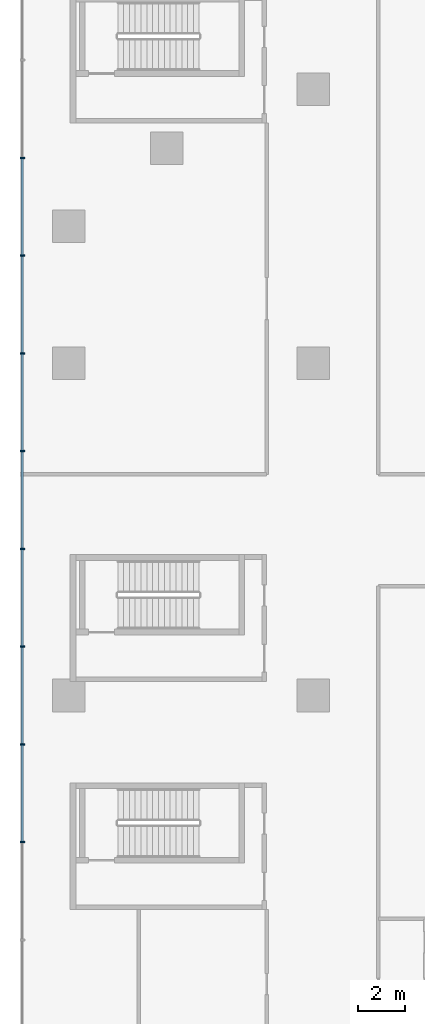
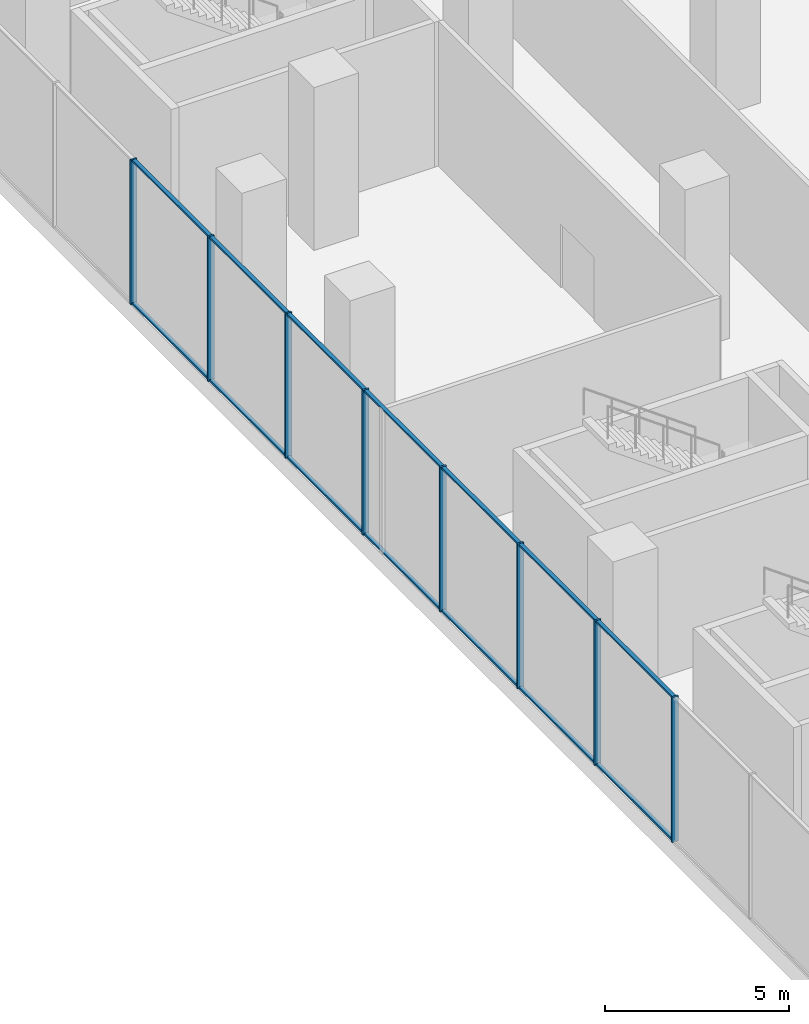
# One storey, part 5 of 22: 22 members, 1 element without a shape of its own.
"""IFC4 building model written with IfcOpenShell, lengths in metres."""

from ifc_helpers import new_model, si_unit, direction, frame, origin, origin_2d, place, context, subcontext, project, spatial, rectangle, extrude, source, transform, mapped, material, layer, layer_set, material_profile, profile_set, type_object, element, aggregate, save


model = new_model("IFC4")

# Units and contexts
model_context = context("Model", 3, precision=1e-05, world=origin(), true_north=direction((0.0, 1.0)))
body_context = subcontext(model_context, "Body", "Model", "MODEL_VIEW")
ifc_project = project(units=[si_unit("LENGTHUNIT", "METRE"), si_unit("AREAUNIT", "SQUARE_METRE"), si_unit("VOLUMEUNIT", "CUBIC_METRE"), si_unit("PLANEANGLEUNIT", "RADIAN"), si_unit("MASSUNIT", "GRAM", prefix="KILO")], contexts=[model_context])

# Site, building, storey
site_placement = place(None, origin())
site = spatial("IfcSite", under=ifc_project, at=site_placement, CompositionType="ELEMENT")
building_placement = place(site_placement, origin())
building = spatial("IfcBuilding", under=site, at=building_placement, Name="Aurelian Terraces", CompositionType="ELEMENT")
storey_placement = place(building_placement, frame((0.0, 0.0, 7.5)))
storey = spatial("IfcBuildingStorey", under=building, at=storey_placement, Name="L01", CompositionType="ELEMENT", Elevation=7.5)

# Curtain wall, members
ifc_material_1 = material(Name="Anodised aluminium and clear glazing", Category="aluminium")
ifc_layer = layer(ifc_material_1, 0.2)
ifc_layer_set = layer_set([ifc_layer], Name="Podium shopfront curtain wall")
curtain_wall_type = type_object("IfcCurtainWallType", Name="Podium shopfront curtain wall", PredefinedType="NOTDEFINED", material=ifc_layer_set)
curtain_wall_placement = place(storey_placement, origin())
curtain_wall = element("IfcCurtainWall", 1, at=curtain_wall_placement, inside=storey, type_object=curtain_wall_type, Name="Podium shopfront L01 F06.1", PredefinedType="NOTDEFINED")
ifc_material_2 = material(Name="Anodised aluminium", Category="aluminium")
ifc_material_profile_1 = material_profile(ifc_material_2, rectangle(XDim=0.2, YDim=0.06, at=origin_2d()))
ifc_profile_set_1 = profile_set([ifc_material_profile_1], Name="Anodised aluminium")
member_type_1 = type_object("IfcMemberType", Name="Podium shopfront mullion", PredefinedType="MULLION", material=ifc_profile_set_1)
shared_shape_1 = source(origin(), body_context, "Body", "SweptSolid", [
    extrude(rectangle(XDim=0.2, YDim=0.06, at=origin_2d()), origin(), (0.0, 0.0, 1.0), 4.8),
])
member_1_placement = place(storey_placement, frame((-2.0, 60.9, 0.0), z_axis=(0.0, 0.0, 1.0), x_axis=(1.0, 0.0, 0.0)))
member_1 = element("IfcMember", 2, at=member_1_placement, type_object=member_type_1, Name="CW1 mullion 7", PredefinedType="MULLION", context=body_context, shape_type="MappedRepresentation", body=[
    mapped(shared_shape_1, transform((0.0, 0.0, 0.0), scale=1.0)),
])
member_2_placement = place(storey_placement, frame((-2.0, 56.7, 0.0), z_axis=(0.0, 0.0, 1.0), x_axis=(1.0, 0.0, 0.0)))
member_2 = element("IfcMember", 3, at=member_2_placement, type_object=member_type_1, Name="CW1 mullion 8", PredefinedType="MULLION", context=body_context, shape_type="MappedRepresentation", body=[
    mapped(shared_shape_1, transform((0.0, 0.0, 0.0), scale=1.0)),
])
member_3_placement = place(storey_placement, frame((-2.0, 52.5, 0.0), z_axis=(0.0, 0.0, 1.0), x_axis=(1.0, 0.0, 0.0)))
member_3 = element("IfcMember", 4, at=member_3_placement, type_object=member_type_1, Name="CW1 mullion 9", PredefinedType="MULLION", context=body_context, shape_type="MappedRepresentation", body=[
    mapped(shared_shape_1, transform((0.0, 0.0, 0.0), scale=1.0)),
])
member_4_placement = place(storey_placement, frame((-2.0, 48.3, 0.0), z_axis=(0.0, 0.0, 1.0), x_axis=(1.0, 0.0, 0.0)))
member_4 = element("IfcMember", 5, at=member_4_placement, type_object=member_type_1, Name="CW1 mullion 10", PredefinedType="MULLION", context=body_context, shape_type="MappedRepresentation", body=[
    mapped(shared_shape_1, transform((0.0, 0.0, 0.0), scale=1.0)),
])
member_5_placement = place(storey_placement, frame((-2.0, 44.1, 0.0), z_axis=(0.0, 0.0, 1.0), x_axis=(1.0, 0.0, 0.0)))
member_5 = element("IfcMember", 6, at=member_5_placement, type_object=member_type_1, Name="CW1 mullion 11", PredefinedType="MULLION", context=body_context, shape_type="MappedRepresentation", body=[
    mapped(shared_shape_1, transform((0.0, 0.0, 0.0), scale=1.0)),
])
member_6_placement = place(storey_placement, frame((-2.0, 39.9, 0.0), z_axis=(0.0, 0.0, 1.0), x_axis=(1.0, 0.0, 0.0)))
member_6 = element("IfcMember", 7, at=member_6_placement, type_object=member_type_1, Name="CW1 mullion 12", PredefinedType="MULLION", context=body_context, shape_type="MappedRepresentation", body=[
    mapped(shared_shape_1, transform((0.0, 0.0, 0.0), scale=1.0)),
])
member_7_placement = place(storey_placement, frame((-2.0, 35.7, 0.0), z_axis=(0.0, 0.0, 1.0), x_axis=(1.0, 0.0, 0.0)))
member_7 = element("IfcMember", 8, at=member_7_placement, type_object=member_type_1, Name="CW1 mullion 13", PredefinedType="MULLION", context=body_context, shape_type="MappedRepresentation", body=[
    mapped(shared_shape_1, transform((0.0, 0.0, 0.0), scale=1.0)),
])
member_8_placement = place(storey_placement, frame((-2.0, 31.5, 0.0), z_axis=(0.0, 0.0, 1.0), x_axis=(1.0, 0.0, 0.0)))
member_8 = element("IfcMember", 9, at=member_8_placement, type_object=member_type_1, Name="CW1 mullion 14", PredefinedType="MULLION", context=body_context, shape_type="MappedRepresentation", body=[
    mapped(shared_shape_1, transform((0.0, 0.0, 0.0), scale=1.0)),
])
ifc_material_profile_2 = material_profile(ifc_material_2, rectangle(XDim=0.12, YDim=0.06, at=origin_2d()))
ifc_profile_set_2 = profile_set([ifc_material_profile_2], Name="Anodised aluminium")
member_type_2 = type_object("IfcMemberType", Name="Podium shopfront transom", PredefinedType="USERDEFINED", material=ifc_profile_set_2)
shared_shape_2 = source(origin(), body_context, "Body", "SweptSolid", [
    extrude(rectangle(XDim=0.12, YDim=0.06, at=origin_2d()), origin(), (0.0, 0.0, 1.0), 4.14),
])
member_9_placement = place(storey_placement, frame((-2.0, 60.87, 0.03), z_axis=(0.0, -1.0, 0.0), x_axis=(1.0, 0.0, 0.0)))
member_9 = element("IfcMember", 10, at=member_9_placement, type_object=member_type_2, Name="CW1 transom 7.1", ObjectType="TRANSOM", PredefinedType="USERDEFINED", context=body_context, shape_type="MappedRepresentation", body=[
    mapped(shared_shape_2, transform((0.0, 0.0, 0.0), scale=1.0)),
])
member_10_placement = place(storey_placement, frame((-2.0, 60.87, 4.77), z_axis=(0.0, -1.0, 0.0), x_axis=(1.0, 0.0, 0.0)))
member_10 = element("IfcMember", 11, at=member_10_placement, type_object=member_type_2, Name="CW1 transom 7.2", ObjectType="TRANSOM", PredefinedType="USERDEFINED", context=body_context, shape_type="MappedRepresentation", body=[
    mapped(shared_shape_2, transform((0.0, 0.0, 0.0), scale=1.0)),
])
member_11_placement = place(storey_placement, frame((-2.0, 56.67, 0.03), z_axis=(0.0, -1.0, 0.0), x_axis=(1.0, 0.0, 0.0)))
member_11 = element("IfcMember", 12, at=member_11_placement, type_object=member_type_2, Name="CW1 transom 8.1", ObjectType="TRANSOM", PredefinedType="USERDEFINED", context=body_context, shape_type="MappedRepresentation", body=[
    mapped(shared_shape_2, transform((0.0, 0.0, 0.0), scale=1.0)),
])
member_12_placement = place(storey_placement, frame((-2.0, 56.67, 4.77), z_axis=(0.0, -1.0, 0.0), x_axis=(1.0, 0.0, 0.0)))
member_12 = element("IfcMember", 13, at=member_12_placement, type_object=member_type_2, Name="CW1 transom 8.2", ObjectType="TRANSOM", PredefinedType="USERDEFINED", context=body_context, shape_type="MappedRepresentation", body=[
    mapped(shared_shape_2, transform((0.0, 0.0, 0.0), scale=1.0)),
])
member_13_placement = place(storey_placement, frame((-2.0, 52.47, 0.03), z_axis=(0.0, -1.0, 0.0), x_axis=(1.0, 0.0, 0.0)))
member_13 = element("IfcMember", 14, at=member_13_placement, type_object=member_type_2, Name="CW1 transom 9.1", ObjectType="TRANSOM", PredefinedType="USERDEFINED", context=body_context, shape_type="MappedRepresentation", body=[
    mapped(shared_shape_2, transform((0.0, 0.0, 0.0), scale=1.0)),
])
member_14_placement = place(storey_placement, frame((-2.0, 52.47, 4.77), z_axis=(0.0, -1.0, 0.0), x_axis=(1.0, 0.0, 0.0)))
member_14 = element("IfcMember", 15, at=member_14_placement, type_object=member_type_2, Name="CW1 transom 9.2", ObjectType="TRANSOM", PredefinedType="USERDEFINED", context=body_context, shape_type="MappedRepresentation", body=[
    mapped(shared_shape_2, transform((0.0, 0.0, 0.0), scale=1.0)),
])
member_15_placement = place(storey_placement, frame((-2.0, 48.27, 0.03), z_axis=(0.0, -1.0, 0.0), x_axis=(1.0, 0.0, 0.0)))
member_15 = element("IfcMember", 16, at=member_15_placement, type_object=member_type_2, Name="CW1 transom 10.1", ObjectType="TRANSOM", PredefinedType="USERDEFINED", context=body_context, shape_type="MappedRepresentation", body=[
    mapped(shared_shape_2, transform((0.0, 0.0, 0.0), scale=1.0)),
])
member_16_placement = place(storey_placement, frame((-2.0, 48.27, 4.77), z_axis=(0.0, -1.0, 0.0), x_axis=(1.0, 0.0, 0.0)))
member_16 = element("IfcMember", 17, at=member_16_placement, type_object=member_type_2, Name="CW1 transom 10.2", ObjectType="TRANSOM", PredefinedType="USERDEFINED", context=body_context, shape_type="MappedRepresentation", body=[
    mapped(shared_shape_2, transform((0.0, 0.0, 0.0), scale=1.0)),
])
member_17_placement = place(storey_placement, frame((-2.0, 44.07, 0.03), z_axis=(0.0, -1.0, 0.0), x_axis=(1.0, 0.0, 0.0)))
member_17 = element("IfcMember", 18, at=member_17_placement, type_object=member_type_2, Name="CW1 transom 11.1", ObjectType="TRANSOM", PredefinedType="USERDEFINED", context=body_context, shape_type="MappedRepresentation", body=[
    mapped(shared_shape_2, transform((0.0, 0.0, 0.0), scale=1.0)),
])
member_18_placement = place(storey_placement, frame((-2.0, 44.07, 4.77), z_axis=(0.0, -1.0, 0.0), x_axis=(1.0, 0.0, 0.0)))
member_18 = element("IfcMember", 19, at=member_18_placement, type_object=member_type_2, Name="CW1 transom 11.2", ObjectType="TRANSOM", PredefinedType="USERDEFINED", context=body_context, shape_type="MappedRepresentation", body=[
    mapped(shared_shape_2, transform((0.0, 0.0, 0.0), scale=1.0)),
])
member_19_placement = place(storey_placement, frame((-2.0, 39.87, 0.03), z_axis=(0.0, -1.0, 0.0), x_axis=(1.0, 0.0, 0.0)))
member_19 = element("IfcMember", 20, at=member_19_placement, type_object=member_type_2, Name="CW1 transom 12.1", ObjectType="TRANSOM", PredefinedType="USERDEFINED", context=body_context, shape_type="MappedRepresentation", body=[
    mapped(shared_shape_2, transform((0.0, 0.0, 0.0), scale=1.0)),
])
member_20_placement = place(storey_placement, frame((-2.0, 39.87, 4.77), z_axis=(0.0, -1.0, 0.0), x_axis=(1.0, 0.0, 0.0)))
member_20 = element("IfcMember", 21, at=member_20_placement, type_object=member_type_2, Name="CW1 transom 12.2", ObjectType="TRANSOM", PredefinedType="USERDEFINED", context=body_context, shape_type="MappedRepresentation", body=[
    mapped(shared_shape_2, transform((0.0, 0.0, 0.0), scale=1.0)),
])
member_21_placement = place(storey_placement, frame((-2.0, 35.67, 0.03), z_axis=(0.0, -1.0, 0.0), x_axis=(1.0, 0.0, 0.0)))
member_21 = element("IfcMember", 22, at=member_21_placement, type_object=member_type_2, Name="CW1 transom 13.1", ObjectType="TRANSOM", PredefinedType="USERDEFINED", context=body_context, shape_type="MappedRepresentation", body=[
    mapped(shared_shape_2, transform((0.0, 0.0, 0.0), scale=1.0)),
])
member_22_placement = place(storey_placement, frame((-2.0, 35.67, 4.77), z_axis=(0.0, -1.0, 0.0), x_axis=(1.0, 0.0, 0.0)))
member_22 = element("IfcMember", 23, at=member_22_placement, type_object=member_type_2, Name="CW1 transom 13.2", ObjectType="TRANSOM", PredefinedType="USERDEFINED", context=body_context, shape_type="MappedRepresentation", body=[
    mapped(shared_shape_2, transform((0.0, 0.0, 0.0), scale=1.0)),
])
aggregate(curtain_wall, [member_1, member_2, member_3, member_4, member_5, member_6, member_7, member_8, member_9, member_10, member_11, member_12, member_13, member_14, member_15, member_16, member_17, member_18, member_19, member_20, member_21, member_22])

save(model, "model.ifc")
